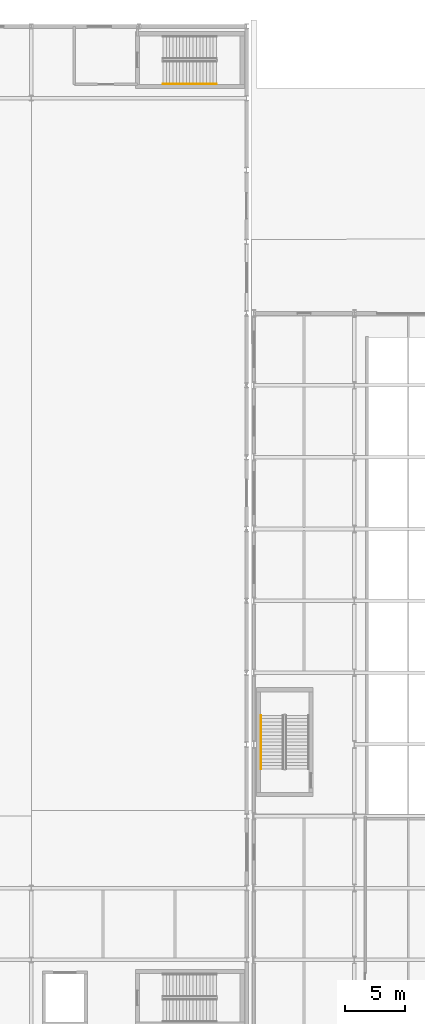
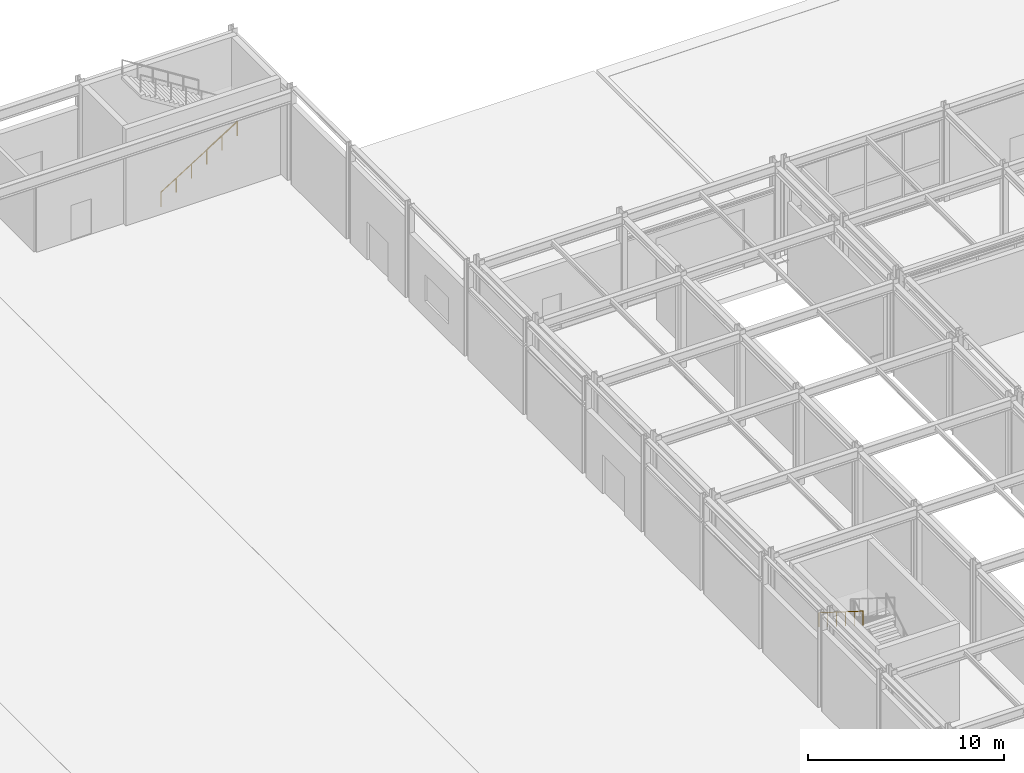
# One storey, part 138 of 146: 2 railings.
"""IFC4 building model written with IfcOpenShell, lengths in metres."""

from ifc_helpers import new_model, si_unit, direction, frame, origin, origin_2d, place, context, subcontext, project, spatial, circle, extrude, material, type_object, element, save


model = new_model("IFC4")

# Units and contexts
model_context = context("Model", 3, precision=1e-05, world=origin(), true_north=direction((0.0, 1.0)))
body_context = subcontext(model_context, "Body", "Model", "MODEL_VIEW")
ifc_project = project(units=[si_unit("LENGTHUNIT", "METRE"), si_unit("AREAUNIT", "SQUARE_METRE"), si_unit("VOLUMEUNIT", "CUBIC_METRE"), si_unit("PLANEANGLEUNIT", "RADIAN"), si_unit("MASSUNIT", "GRAM", prefix="KILO")], contexts=[model_context])

# Site, building, storey
site_placement = place(None, origin())
site = spatial("IfcSite", under=ifc_project, at=site_placement, CompositionType="ELEMENT")
building_placement = place(site_placement, origin())
building = spatial("IfcBuilding", under=site, at=building_placement, Name="Kaldris Quays Convention Centre", CompositionType="ELEMENT")
storey_placement = place(building_placement, origin())
storey = spatial("IfcBuildingStorey", under=building, at=storey_placement, Name="L00", CompositionType="ELEMENT", Elevation=0.0)

# Railings
ifc_material = material(Name="Stainless steel 1.4301", Category="steel")
railing_type = type_object("IfcRailingType", Name="STAIR HANDRAIL HR01", PredefinedType="HANDRAIL", material=ifc_material)
railing_1_placement = place(storey_placement, frame((139.0, 135.199951171875, 0.176513671875)))
element("IfcRailing", 1, at=railing_1_placement, inside=storey, type_object=railing_type, Name="L00 ST04 Flight Handrail 1", PredefinedType="HANDRAIL", context=body_context, shape_type="SweptSolid", body=[
    extrude(circle(Radius=0.02392578125, at=origin_2d()), frame((0.0, 0.0, 0.8759765625), z_axis=(0.845997938375, 0.0, 0.533186166611), x_axis=(0.0, 1.0, 0.0)), (0.0, 0.0, 1.0), 5.29541015625),
    extrude(circle(Radius=0.02099609375, at=origin_2d()), origin(), (0.0, 0.0, 1.0), 0.851806640625),
    extrude(circle(Radius=0.02099609375, at=origin_2d()), frame((0.89599609375, 0.0, 0.564697265625)), (0.0, 0.0, 1.0), 0.851806640625),
    extrude(circle(Radius=0.02099609375, at=origin_2d()), frame((1.7919921875, 0.0, 1.12939453125)), (0.0, 0.0, 1.0), 0.851806640625),
    extrude(circle(Radius=0.02099609375, at=origin_2d()), frame((2.68798828125, 0.0, 1.694091796875)), (0.0, 0.0, 1.0), 0.851806640625),
    extrude(circle(Radius=0.02099609375, at=origin_2d()), frame((3.583984375, 0.0, 2.2587890625)), (0.0, 0.0, 1.0), 0.851806640625),
    extrude(circle(Radius=0.02099609375, at=origin_2d()), frame((4.47998046875, 0.0, 2.823486328125)), (0.0, 0.0, 1.0), 0.851806640625),
])
railing_2_placement = place(storey_placement, frame((147.199951171875, 82.429931640625, 3.176513671875)))
element("IfcRailing", 2, at=railing_2_placement, inside=storey, type_object=railing_type, Name="L00 ST14 Flight Handrail 2", PredefinedType="HANDRAIL", context=body_context, shape_type="SweptSolid", body=[
    extrude(circle(Radius=0.02392578125, at=origin_2d()), frame((0.0, 0.0, 0.8759765625), z_axis=(0.0, -0.845997938375, 0.533186166611), x_axis=(1.0, 0.0, 0.0)), (0.0, 0.0, 1.0), 5.29541015625),
    extrude(circle(Radius=0.02099609375, at=origin_2d()), origin(), (0.0, 0.0, 1.0), 0.851806640625),
    extrude(circle(Radius=0.02099609375, at=origin_2d()), frame((0.0, -0.89599609375, 0.564697265625)), (0.0, 0.0, 1.0), 0.851806640625),
    extrude(circle(Radius=0.02099609375, at=origin_2d()), frame((0.0, -1.7919921875, 1.12939453125)), (0.0, 0.0, 1.0), 0.851806640625),
    extrude(circle(Radius=0.02099609375, at=origin_2d()), frame((0.0, -2.68798828125, 1.694091796875)), (0.0, 0.0, 1.0), 0.851806640625),
    extrude(circle(Radius=0.02099609375, at=origin_2d()), frame((0.0, -3.583984375, 2.2587890625)), (0.0, 0.0, 1.0), 0.851806640625),
    extrude(circle(Radius=0.02099609375, at=origin_2d()), frame((0.0, -4.47998046875, 2.823486328125)), (0.0, 0.0, 1.0), 0.851806640625),
])

save(model, "model.ifc")
